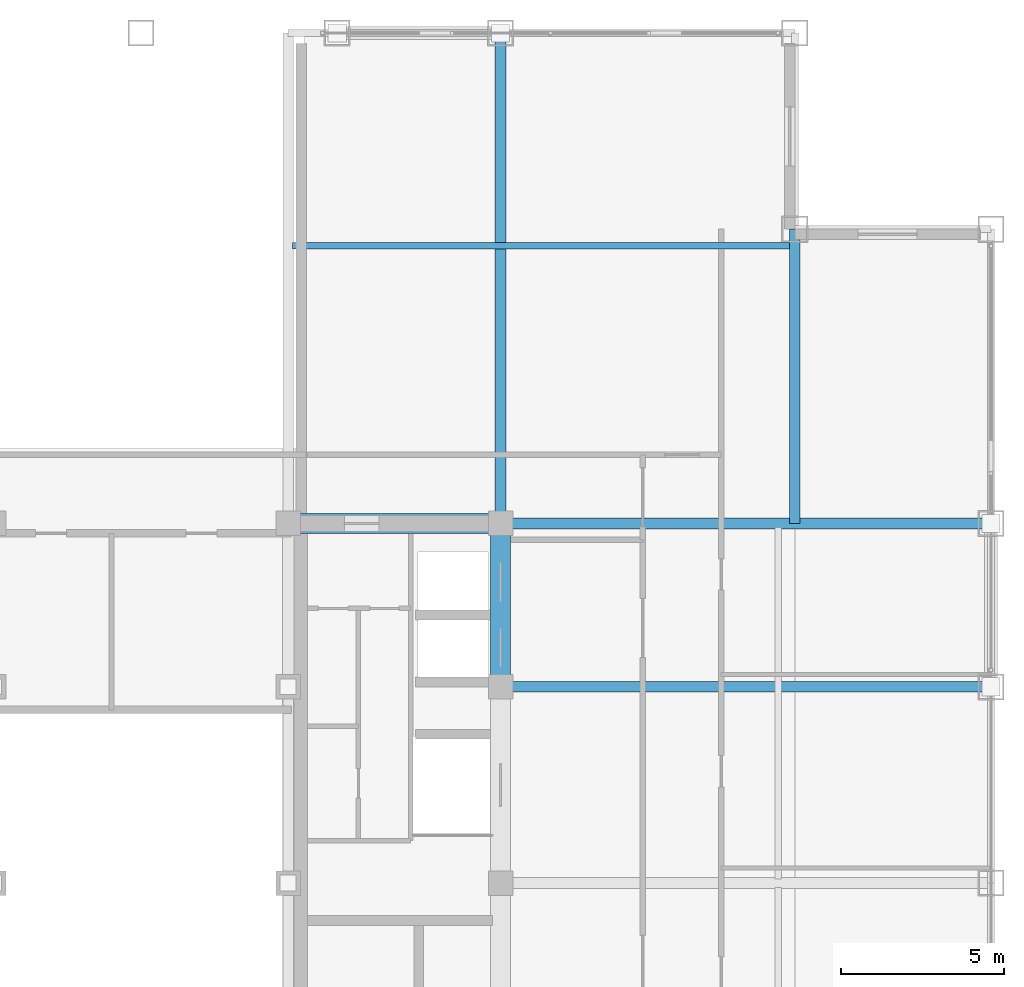
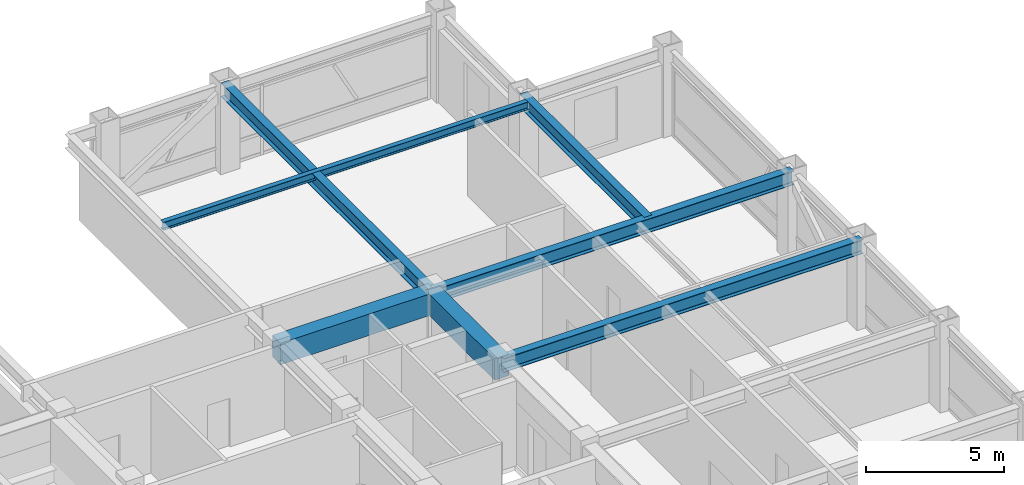
# One storey, part 21 of 29: 7 beams.
"""IFC4 building model written with IfcOpenShell, lengths in metres."""

from ifc_helpers import new_model, si_unit, direction, frame, origin, origin_2d, place, context, subcontext, project, spatial, rectangle, i_section, extrude, source, transform, mapped, material, material_profile, profile_set, type_object, element, save


model = new_model("IFC4")

# Units and contexts
model_context = context("Model", 3, precision=1e-05, world=origin(), true_north=direction((0.0, 1.0)))
body_context = subcontext(model_context, "Body", "Model", "MODEL_VIEW")
ifc_project = project(units=[si_unit("LENGTHUNIT", "METRE"), si_unit("AREAUNIT", "SQUARE_METRE"), si_unit("VOLUMEUNIT", "CUBIC_METRE"), si_unit("PLANEANGLEUNIT", "RADIAN"), si_unit("MASSUNIT", "GRAM", prefix="KILO")], contexts=[model_context])

# Site, building, storey
site_placement = place(None, origin())
site = spatial("IfcSite", under=ifc_project, at=site_placement, CompositionType="ELEMENT")
building_placement = place(site_placement, origin())
building = spatial("IfcBuilding", under=site, at=building_placement, Name="Khorayat Bourse Tower", CompositionType="ELEMENT")
storey_placement = place(building_placement, frame((0.0, 0.0, 350.300048828125)))
storey = spatial("IfcBuildingStorey", under=building, at=storey_placement, Name="L83", CompositionType="ELEMENT", Elevation=350.300048828125)

# Beams
ifc_material_1 = material(Name="Concrete C60/75", Category="concrete")
ifc_material_profile_1 = material_profile(ifc_material_1, rectangle(XDim=0.60009765625, YDim=0.949951171875, at=origin_2d()), Name="RC 600x950")
ifc_profile_set_1 = profile_set([ifc_material_profile_1], Name="Concrete C60/75")
beam_type_1 = type_object("IfcBeamType", Name="BM-COUP-950", PredefinedType="BEAM", material=ifc_profile_set_1)
shared_shape_1 = source(origin(), body_context, "Body", "SweptSolid", [
    extrude(rectangle(XDim=0.60009765625, YDim=0.949951171875, at=origin_2d()), origin(), (0.0, 0.0, 1.0), 5.0),
])
beam_1_placement = place(storey_placement, frame((11.0, 6.0, 3.264892578125), z_axis=(0.0, 1.0, 0.0), x_axis=(-1.0, 0.0, 0.0)))
element("IfcBeam", 1, at=beam_1_placement, inside=storey, type_object=beam_type_1, Name="L83 BM-COUP-950 BM-L83-CRX-16", PredefinedType="BEAM", context=body_context, shape_type="MappedRepresentation", body=[
    mapped(shared_shape_1, transform((0.0, 0.0, 0.0), scale=1.0)),
])
shared_shape_2 = source(origin(), body_context, "Body", "SweptSolid", [
    extrude(rectangle(XDim=0.60009765625, YDim=0.949951171875, at=origin_2d()), origin(), (0.0, 0.0, 1.0), 6.5),
])
beam_2_placement = place(storey_placement, frame((4.5, 11.0, 3.264892578125), z_axis=(1.0, 0.0, 0.0), x_axis=(0.0, 1.0, 0.0)))
element("IfcBeam", 2, at=beam_2_placement, inside=storey, type_object=beam_type_1, Name="L83 BM-COUP-950 BM-L83-CRY-20", PredefinedType="BEAM", context=body_context, shape_type="MappedRepresentation", body=[
    mapped(shared_shape_2, transform((0.0, 0.0, 0.0), scale=1.0)),
])
ifc_material_2 = material(Name="Steel ASTM A992 Grade 50", Category="steel")
ifc_material_profile_2 = material_profile(ifc_material_2, i_section(OverallWidth=0.324951171875, OverallDepth=0.615966796875, WebThickness=0.013916015625, FlangeThickness=0.021484375, FilletRadius=0.01611328125, at=origin_2d()), Name="W610X174")
ifc_profile_set_2 = profile_set([ifc_material_profile_2], Name="Steel ASTM A992 Grade 50")
beam_type_2 = type_object("IfcBeamType", Name="BM-GIRD-610", PredefinedType="BEAM", material=ifc_profile_set_2)
shared_shape_3 = source(origin(), body_context, "Body", "SweptSolid", [
    extrude(i_section(OverallWidth=0.324951171875, OverallDepth=0.615966796875, WebThickness=0.013916015625, FlangeThickness=0.021484375, FilletRadius=0.01611328125, at=origin_2d()), origin(), (0.0, 0.0, 1.0), 15.0),
])
for number, where, z_axis, x_axis, name in (
    (3, (11.0, 11.0, 3.431884765625), (0.0, 1.0, 0.0), (-1.0, 0.0, 0.0), "L83 BM-GIRD-610 BM-L83-RADY-059"),
    (4, (11.0, 6.0, 3.431884765625), (1.0, 0.0, 0.0), (0.0, 1.0, 0.0), "L83 BM-GIRD-610 BM-L83-RADX-067"),
    (5, (11.0, 11.0, 3.431884765625), (1.0, 0.0, 0.0), (0.0, 1.0, 0.0), "L83 BM-GIRD-610 BM-L83-RADX-069"),
):
    element("IfcBeam", number, at=place(storey_placement, frame(where, z_axis=z_axis, x_axis=x_axis)), inside=storey, type_object=beam_type_2, Name=name, PredefinedType="BEAM", context=body_context, shape_type="MappedRepresentation", body=[
        mapped(shared_shape_3, transform((0.0, 0.0, 0.0), scale=1.0)),
    ])
shared_shape_4 = source(origin(), body_context, "Body", "SweptSolid", [
    extrude(i_section(OverallWidth=0.324951171875, OverallDepth=0.615966796875, WebThickness=0.013916015625, FlangeThickness=0.021484375, FilletRadius=0.01611328125, at=origin_2d()), origin(), (0.0, 0.0, 1.0), 9.0),
])
beam_3_placement = place(storey_placement, frame((20.0, 11.0, 3.431884765625), z_axis=(0.0, 1.0, 0.0), x_axis=(-1.0, 0.0, 0.0)))
element("IfcBeam", 6, at=beam_3_placement, inside=storey, type_object=beam_type_2, Name="L83 BM-GIRD-610 BM-L83-CNRY-074", PredefinedType="BEAM", context=body_context, shape_type="MappedRepresentation", body=[
    mapped(shared_shape_4, transform((0.0, 0.0, 0.0), scale=1.0)),
])
ifc_material_profile_3 = material_profile(ifc_material_2, i_section(OverallWidth=0.202880859375, OverallDepth=0.346923828125, WebThickness=0.0078125, FlangeThickness=0.013427734375, FilletRadius=0.010009765625, at=origin_2d()), Name="W360X64")
ifc_profile_set_3 = profile_set([ifc_material_profile_3], Name="Steel ASTM A992 Grade 50")
beam_type_3 = type_object("IfcBeamType", Name="BM-JOIST-360", PredefinedType="JOIST", material=ifc_profile_set_3)
shared_shape_5 = source(origin(), body_context, "Body", "SweptSolid", [
    extrude(i_section(OverallWidth=0.202880859375, OverallDepth=0.346923828125, WebThickness=0.0078125, FlangeThickness=0.013427734375, FilletRadius=0.010009765625, at=origin_2d()), origin(), (0.0, 0.0, 1.0), 15.240234375),
])
beam_4_placement = place(storey_placement, frame((4.6298828125, 19.5, 3.56640625), z_axis=(1.0, 0.0, 0.0), x_axis=(0.0, 1.0, 0.0)))
element("IfcBeam", 7, at=beam_4_placement, inside=storey, type_object=beam_type_3, Name="L83 BM-JOIST-360 BM-L83-JSTX-078", PredefinedType="JOIST", context=body_context, shape_type="MappedRepresentation", body=[
    mapped(shared_shape_5, transform((0.0, 0.0, 0.0), scale=1.0)),
])

save(model, "model.ifc")
